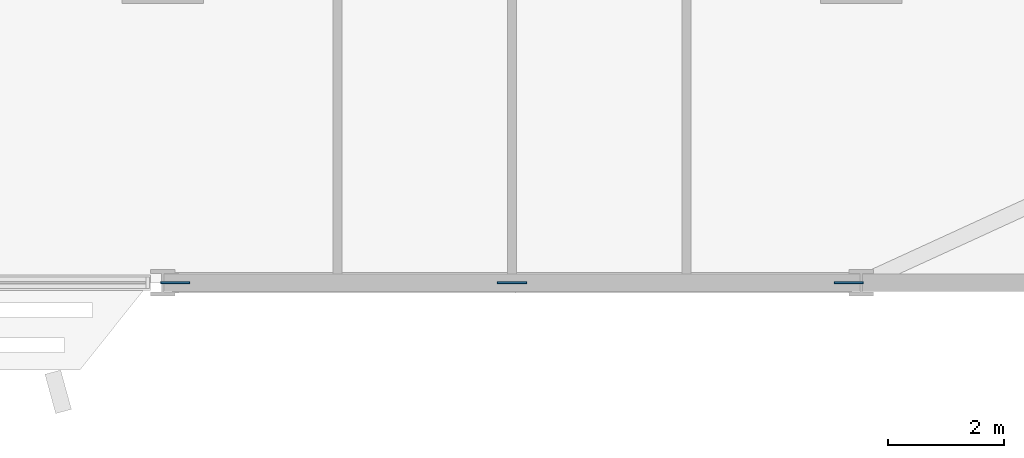
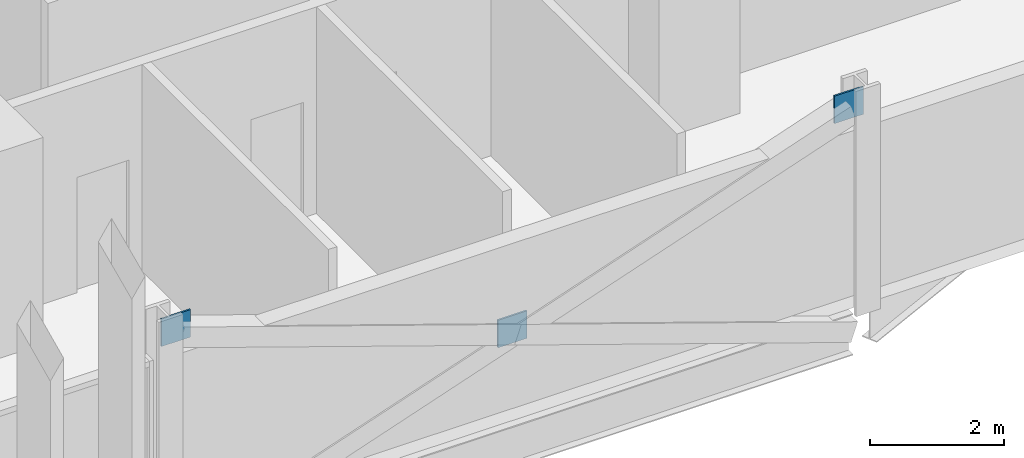
# One storey, part 21 of 31: 3 discrete accessories.
"""IFC4 building model written with IfcOpenShell, lengths in metres."""

from ifc_helpers import new_model, si_unit, direction, frame, origin, origin_2d, place, context, subcontext, project, spatial, rectangle, extrude, material, layer, layer_set, type_object, element, save


model = new_model("IFC4")

# Units and contexts
model_context = context("Model", 3, precision=1e-05, world=origin(), true_north=direction((0.0, 1.0)))
body_context = subcontext(model_context, "Body", "Model", "MODEL_VIEW")
ifc_project = project(units=[si_unit("LENGTHUNIT", "METRE"), si_unit("AREAUNIT", "SQUARE_METRE"), si_unit("VOLUMEUNIT", "CUBIC_METRE"), si_unit("PLANEANGLEUNIT", "RADIAN"), si_unit("MASSUNIT", "GRAM", prefix="KILO")], contexts=[model_context])

# Site, building, storey
site_placement = place(None, origin())
site = spatial("IfcSite", under=ifc_project, at=site_placement, CompositionType="ELEMENT")
building_placement = place(site_placement, origin())
building = spatial("IfcBuilding", under=site, at=building_placement, Name="Mahtab Terrace Research Tower", CompositionType="ELEMENT")
storey_placement = place(building_placement, frame((0.0, 0.0, 101.199951171875)))
storey = spatial("IfcBuildingStorey", under=building, at=storey_placement, Name="L23", CompositionType="ELEMENT", Elevation=101.199951171875)

# Discrete accessories
ifc_material = material(Name="Steel ASTM A992 Gr 50", Category="steel")
ifc_layer = layer(ifc_material, 0.030029296875)
ifc_layer_set = layer_set([ifc_layer], Name="Gusset plate 500x500x30")
discrete_accessory_type = type_object("IfcDiscreteAccessoryType", Name="Gusset plate 500x500x30", PredefinedType="USERDEFINED", material=ifc_layer_set)
for number, where, z_axis, x_axis, name in (
    (1, (30.209716796875, -17.0, 3.131591796875), (0.0, 0.0, 1.0), (1.0, 0.0, 0.0), "Gusset plate"),
    (2, (36.0, -17.0, 1.08154296875), (0.0, 0.0, 1.0), (1.0, 0.0, 0.0), "Gusset plate"),
    (3, (41.790283203125, -17.0, 3.131591796875), (0.0, 0.0, 1.0), (1.0, 0.0, 0.0), "Gusset plate"),
):
    element("IfcDiscreteAccessory", number, at=place(storey_placement, frame(where, z_axis=z_axis, x_axis=x_axis)), inside=storey, type_object=discrete_accessory_type, Name=name, ObjectType="GUSSET PLATE", PredefinedType="USERDEFINED", context=body_context, shape_type="SweptSolid", body=[
        extrude(rectangle(XDim=0.5, YDim=0.030029296875, at=origin_2d()), origin(), (0.0, 0.0, 1.0), 0.5),
    ])

save(model, "model.ifc")
